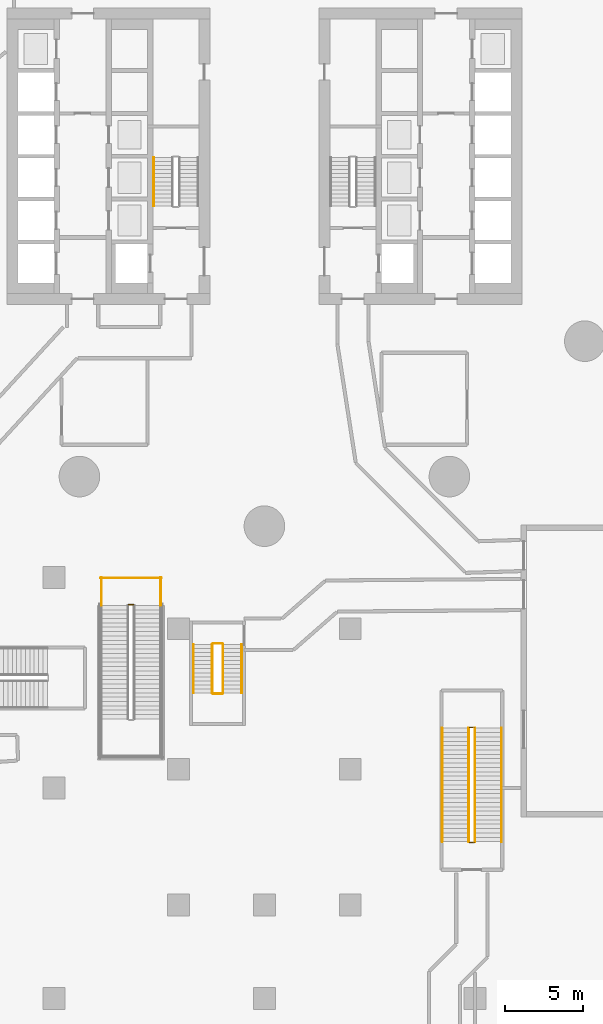
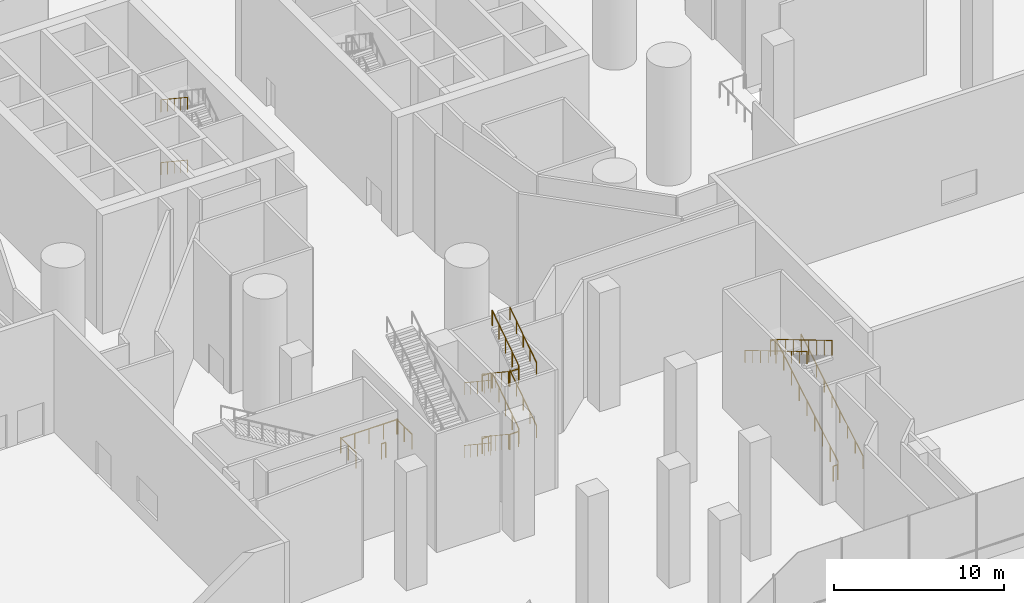
# One storey, part 41 of 54: 24 railings.
"""IFC4 building model written with IfcOpenShell, lengths in metres."""

from ifc_helpers import new_model, si_unit, direction, frame, origin, origin_2d, place, context, subcontext, project, spatial, circle, extrude, material, type_object, element, save


model = new_model("IFC4")

# Units and contexts
model_context = context("Model", 3, precision=1e-05, world=origin(), true_north=direction((0.0, 1.0)))
body_context = subcontext(model_context, "Body", "Model", "MODEL_VIEW")
ifc_project = project(units=[si_unit("LENGTHUNIT", "METRE"), si_unit("AREAUNIT", "SQUARE_METRE"), si_unit("VOLUMEUNIT", "CUBIC_METRE"), si_unit("PLANEANGLEUNIT", "RADIAN"), si_unit("MASSUNIT", "GRAM", prefix="KILO")], contexts=[model_context])

# Site, building, storey
site_placement = place(None, origin())
site = spatial("IfcSite", under=ifc_project, at=site_placement, CompositionType="ELEMENT")
building_placement = place(site_placement, origin())
building = spatial("IfcBuilding", under=site, at=building_placement, Name="Tamarind Cross Interchange Tower", CompositionType="ELEMENT")
storey_placement = place(building_placement, origin())
storey = spatial("IfcBuildingStorey", under=building, at=storey_placement, Name="L00", CompositionType="ELEMENT", Elevation=0.0)

# Railings
ifc_material_1 = material(Name="Public stair guard")
railing_type_1 = type_object("IfcRailingType", Name="Public stair guard", PredefinedType="GUARDRAIL", material=ifc_material_1)
railing_1_placement = place(storey_placement, frame((-8.699951171875, -28.75, 0.0)))
element("IfcRailing", 1, at=railing_1_placement, inside=storey, type_object=railing_type_1, Name="L00 PS-S stair guard 7", PredefinedType="GUARDRAIL", context=body_context, shape_type="SweptSolid", body=[
    extrude(circle(Radius=0.02392578125, at=origin_2d()), frame((0.0, 0.0, 1.076171875), z_axis=(1.0, 0.0, 0.0), x_axis=(0.0, 1.0, 0.0)), (0.0, 0.0, 1.0), 0.300048828125),
    extrude(circle(Radius=0.02099609375, at=origin_2d()), origin(), (0.0, 0.0, 1.0), 1.052001953125),
    extrude(circle(Radius=0.02099609375, at=origin_2d()), frame((0.300048828125, 0.0, 0.0)), (0.0, 0.0, 1.0), 1.052001953125),
])
for number, where, name in (
    (2, (-10.449951171875, -27.0, 0.0), "L00 PS-S stair guard 8"),
    (3, (-6.64990234375, -27.0, 0.0), "L00 PS-S stair guard 9"),
):
    element("IfcRailing", number, at=place(storey_placement, frame(where)), inside=storey, type_object=railing_type_1, Name=name, PredefinedType="GUARDRAIL", context=body_context, shape_type="SweptSolid", body=[
        extrude(circle(Radius=0.02392578125, at=origin_2d()), frame((0.0, 0.0, 1.076171875), z_axis=(0.0, -1.0, 0.0), x_axis=(1.0, 0.0, 0.0)), (0.0, 0.0, 1.0), 1.800048828125),
        extrude(circle(Radius=0.02099609375, at=origin_2d()), origin(), (0.0, 0.0, 1.0), 1.052001953125),
        extrude(circle(Radius=0.02099609375, at=origin_2d()), frame((0.0, -0.89990234375, 0.0)), (0.0, 0.0, 1.0), 1.052001953125),
        extrude(circle(Radius=0.02099609375, at=origin_2d()), frame((0.0, -1.800048828125, 0.0)), (0.0, 0.0, 1.0), 1.052001953125),
    ])
railing_2_placement = place(storey_placement, frame((-10.5, -27.050048828125, 0.0)))
element("IfcRailing", 4, at=railing_2_placement, inside=storey, type_object=railing_type_1, Name="L00 PS-S stair guard 10", PredefinedType="GUARDRAIL", context=body_context, shape_type="SweptSolid", body=[
    extrude(circle(Radius=0.02392578125, at=origin_2d()), frame((0.0, 0.0, 1.076171875), z_axis=(1.0, 0.0, 0.0), x_axis=(0.0, 1.0, 0.0)), (0.0, 0.0, 1.0), 3.89990234375),
    extrude(circle(Radius=0.02099609375, at=origin_2d()), origin(), (0.0, 0.0, 1.0), 1.052001953125),
    extrude(circle(Radius=0.02099609375, at=origin_2d()), frame((0.97509765625, 0.0, 0.0)), (0.0, 0.0, 1.0), 1.052001953125),
    extrude(circle(Radius=0.02099609375, at=origin_2d()), frame((1.949951171875, 0.0, 0.0)), (0.0, 0.0, 1.0), 1.052001953125),
    extrude(circle(Radius=0.02099609375, at=origin_2d()), frame((2.9248046875, 0.0, 0.0)), (0.0, 0.0, 1.0), 1.052001953125),
    extrude(circle(Radius=0.02099609375, at=origin_2d()), frame((3.89990234375, 0.0, 0.0)), (0.0, 0.0, 1.0), 1.052001953125),
])
railing_3_placement = place(storey_placement, frame((13.5, -43.949951171875, 0.166748046875)))
element("IfcRailing", 5, at=railing_3_placement, inside=storey, type_object=railing_type_1, Name="L00 XS-P12 stair guard 1", PredefinedType="GUARDRAIL", context=body_context, shape_type="SweptSolid", body=[
    extrude(circle(Radius=0.02392578125, at=origin_2d()), frame((0.0, 0.0, 1.076171875), z_axis=(0.0, 0.859298010897, 0.511475247171), x_axis=(-1.0, 0.0, 0.0)), (0.0, 0.0, 1.0), 8.47216796875),
    extrude(circle(Radius=0.02099609375, at=origin_2d()), origin(), (0.0, 0.0, 1.0), 1.052001953125),
    extrude(circle(Radius=0.02099609375, at=origin_2d()), frame((0.0, 0.909912109375, 0.541748046875)), (0.0, 0.0, 1.0), 1.052001953125),
    extrude(circle(Radius=0.02099609375, at=origin_2d()), frame((0.0, 1.820068359375, 1.083251953125)), (0.0, 0.0, 1.0), 1.052001953125),
    extrude(circle(Radius=0.02099609375, at=origin_2d()), frame((0.0, 2.72998046875, 1.625)), (0.0, 0.0, 1.0), 1.052001953125),
    extrude(circle(Radius=0.02099609375, at=origin_2d()), frame((0.0, 3.64013671875, 2.16650390625)), (0.0, 0.0, 1.0), 1.052001953125),
    extrude(circle(Radius=0.02099609375, at=origin_2d()), frame((0.0, 4.550048828125, 2.708251953125)), (0.0, 0.0, 1.0), 1.052001953125),
    extrude(circle(Radius=0.02099609375, at=origin_2d()), frame((0.0, 5.4599609375, 3.25)), (0.0, 0.0, 1.0), 1.052001953125),
    extrude(circle(Radius=0.02099609375, at=origin_2d()), frame((0.0, 6.3701171875, 3.79150390625)), (0.0, 0.0, 1.0), 1.052001953125),
    extrude(circle(Radius=0.02099609375, at=origin_2d()), frame((0.0, 7.280029296875, 4.333251953125)), (0.0, 0.0, 1.0), 1.052001953125),
])
railing_4_placement = place(storey_placement, frame((13.449951171875, -36.6201171875, 4.5)))
element("IfcRailing", 6, at=railing_4_placement, inside=storey, type_object=railing_type_1, Name="L00 XS-P12 stair guard 2", PredefinedType="GUARDRAIL", context=body_context, shape_type="SweptSolid", body=[
    extrude(circle(Radius=0.02392578125, at=origin_2d()), frame((0.0, 0.0, 1.076171875), z_axis=(-1.0, 0.0, 0.0), x_axis=(0.0, -1.0, 0.0)), (0.0, 0.0, 1.0), 0.300048828125),
    extrude(circle(Radius=0.02099609375, at=origin_2d()), origin(), (0.0, 0.0, 1.0), 1.052001953125),
    extrude(circle(Radius=0.02099609375, at=origin_2d()), frame((-0.300048828125, 0.0, 0.0)), (0.0, 0.0, 1.0), 1.052001953125),
])
railing_5_placement = place(storey_placement, frame((13.10009765625, -36.669921875, 4.666748046875)))
element("IfcRailing", 7, at=railing_5_placement, inside=storey, type_object=railing_type_1, Name="L00 XS-P12 stair guard 3", PredefinedType="GUARDRAIL", context=body_context, shape_type="SweptSolid", body=[
    extrude(circle(Radius=0.02392578125, at=origin_2d()), frame((0.0, 0.0, 1.076171875), z_axis=(0.0, -0.859298010897, 0.511475247171), x_axis=(1.0, 0.0, 0.0)), (0.0, 0.0, 1.0), 8.47216796875),
    extrude(circle(Radius=0.02099609375, at=origin_2d()), origin(), (0.0, 0.0, 1.0), 1.052001953125),
    extrude(circle(Radius=0.02099609375, at=origin_2d()), frame((0.0, -0.909912109375, 0.541748046875)), (0.0, 0.0, 1.0), 1.052001953125),
    extrude(circle(Radius=0.02099609375, at=origin_2d()), frame((0.0, -1.820068359375, 1.083251953125)), (0.0, 0.0, 1.0), 1.052001953125),
    extrude(circle(Radius=0.02099609375, at=origin_2d()), frame((0.0, -2.72998046875, 1.625)), (0.0, 0.0, 1.0), 1.052001953125),
    extrude(circle(Radius=0.02099609375, at=origin_2d()), frame((0.0, -3.64013671875, 2.16650390625)), (0.0, 0.0, 1.0), 1.052001953125),
    extrude(circle(Radius=0.02099609375, at=origin_2d()), frame((0.0, -4.550048828125, 2.708251953125)), (0.0, 0.0, 1.0), 1.052001953125),
    extrude(circle(Radius=0.02099609375, at=origin_2d()), frame((0.0, -5.4599609375, 3.25)), (0.0, 0.0, 1.0), 1.052001953125),
    extrude(circle(Radius=0.02099609375, at=origin_2d()), frame((0.0, -6.3701171875, 3.79150390625)), (0.0, 0.0, 1.0), 1.052001953125),
    extrude(circle(Radius=0.02099609375, at=origin_2d()), frame((0.0, -7.280029296875, 4.333251953125)), (0.0, 0.0, 1.0), 1.052001953125),
])
railing_6_placement = place(storey_placement, frame((13.449951171875, -44.0, 0.0)))
element("IfcRailing", 8, at=railing_6_placement, inside=storey, type_object=railing_type_1, Name="L00 XS-P12 stair guard 4", PredefinedType="GUARDRAIL", context=body_context, shape_type="SweptSolid", body=[
    extrude(circle(Radius=0.02392578125, at=origin_2d()), frame((0.0, 0.0, 1.076171875), z_axis=(-1.0, 0.0, 0.0), x_axis=(0.0, -1.0, 0.0)), (0.0, 0.0, 1.0), 0.300048828125),
    extrude(circle(Radius=0.02099609375, at=origin_2d()), origin(), (0.0, 0.0, 1.0), 1.052001953125),
    extrude(circle(Radius=0.02099609375, at=origin_2d()), frame((-0.300048828125, 0.0, 0.0)), (0.0, 0.0, 1.0), 1.052001953125),
])
ifc_material_2 = material(Name="Public stair handrail")
railing_type_2 = type_object("IfcRailingType", Name="Public stair handrail", PredefinedType="HANDRAIL", material=ifc_material_2)
railing_7_placement = place(storey_placement, frame((15.199951171875, -43.949951171875, 0.166748046875)))
element("IfcRailing", 9, at=railing_7_placement, inside=storey, type_object=railing_type_2, Name="L00 XS-P12 stair handrail 1", PredefinedType="HANDRAIL", context=body_context, shape_type="SweptSolid", body=[
    extrude(circle(Radius=0.02392578125, at=origin_2d()), frame((0.0, 0.0, 0.8759765625), z_axis=(0.0, 0.859298010897, 0.511475247171), x_axis=(-1.0, 0.0, 0.0)), (0.0, 0.0, 1.0), 8.47216796875),
    extrude(circle(Radius=0.02099609375, at=origin_2d()), origin(), (0.0, 0.0, 1.0), 0.851806640625),
    extrude(circle(Radius=0.02099609375, at=origin_2d()), frame((0.0, 0.909912109375, 0.541748046875)), (0.0, 0.0, 1.0), 0.851806640625),
    extrude(circle(Radius=0.02099609375, at=origin_2d()), frame((0.0, 1.820068359375, 1.083251953125)), (0.0, 0.0, 1.0), 0.851806640625),
    extrude(circle(Radius=0.02099609375, at=origin_2d()), frame((0.0, 2.72998046875, 1.625)), (0.0, 0.0, 1.0), 0.851806640625),
    extrude(circle(Radius=0.02099609375, at=origin_2d()), frame((0.0, 3.64013671875, 2.16650390625)), (0.0, 0.0, 1.0), 0.851806640625),
    extrude(circle(Radius=0.02099609375, at=origin_2d()), frame((0.0, 4.550048828125, 2.708251953125)), (0.0, 0.0, 1.0), 0.851806640625),
    extrude(circle(Radius=0.02099609375, at=origin_2d()), frame((0.0, 5.4599609375, 3.25)), (0.0, 0.0, 1.0), 0.851806640625),
    extrude(circle(Radius=0.02099609375, at=origin_2d()), frame((0.0, 6.3701171875, 3.79150390625)), (0.0, 0.0, 1.0), 0.851806640625),
    extrude(circle(Radius=0.02099609375, at=origin_2d()), frame((0.0, 7.280029296875, 4.333251953125)), (0.0, 0.0, 1.0), 0.851806640625),
])
railing_8_placement = place(storey_placement, frame((11.39990234375, -36.669921875, 4.666748046875)))
element("IfcRailing", 10, at=railing_8_placement, inside=storey, type_object=railing_type_2, Name="L00 XS-P12 stair handrail 2", PredefinedType="HANDRAIL", context=body_context, shape_type="SweptSolid", body=[
    extrude(circle(Radius=0.02392578125, at=origin_2d()), frame((0.0, 0.0, 0.8759765625), z_axis=(0.0, -0.859298010897, 0.511475247171), x_axis=(1.0, 0.0, 0.0)), (0.0, 0.0, 1.0), 8.47216796875),
    extrude(circle(Radius=0.02099609375, at=origin_2d()), origin(), (0.0, 0.0, 1.0), 0.851806640625),
    extrude(circle(Radius=0.02099609375, at=origin_2d()), frame((0.0, -0.909912109375, 0.541748046875)), (0.0, 0.0, 1.0), 0.851806640625),
    extrude(circle(Radius=0.02099609375, at=origin_2d()), frame((0.0, -1.820068359375, 1.083251953125)), (0.0, 0.0, 1.0), 0.851806640625),
    extrude(circle(Radius=0.02099609375, at=origin_2d()), frame((0.0, -2.72998046875, 1.625)), (0.0, 0.0, 1.0), 0.851806640625),
    extrude(circle(Radius=0.02099609375, at=origin_2d()), frame((0.0, -3.64013671875, 2.16650390625)), (0.0, 0.0, 1.0), 0.851806640625),
    extrude(circle(Radius=0.02099609375, at=origin_2d()), frame((0.0, -4.550048828125, 2.708251953125)), (0.0, 0.0, 1.0), 0.851806640625),
    extrude(circle(Radius=0.02099609375, at=origin_2d()), frame((0.0, -5.4599609375, 3.25)), (0.0, 0.0, 1.0), 0.851806640625),
    extrude(circle(Radius=0.02099609375, at=origin_2d()), frame((0.0, -6.3701171875, 3.79150390625)), (0.0, 0.0, 1.0), 0.851806640625),
    extrude(circle(Radius=0.02099609375, at=origin_2d()), frame((0.0, -7.280029296875, 4.333251953125)), (0.0, 0.0, 1.0), 0.851806640625),
])
ifc_material_3 = material(Name="Stair guard")
railing_type_3 = type_object("IfcRailingType", Name="Stair guard", PredefinedType="GUARDRAIL", material=ifc_material_3)
railing_9_placement = place(storey_placement, frame((-3.35009765625, -31.300048828125, 0.173095703125)))
element("IfcRailing", 11, at=railing_9_placement, inside=storey, type_object=railing_type_3, Name="L00 ST6 stair guard 1", PredefinedType="GUARDRAIL", context=body_context, shape_type="SweptSolid", body=[
    extrude(circle(Radius=0.02392578125, at=origin_2d()), frame((0.0, 0.0, 1.076171875), z_axis=(0.0, -0.832420903958, 0.554143879018), x_axis=(1.0, 0.0, 0.0)), (0.0, 0.0, 1.0), 3.748046875),
    extrude(circle(Radius=0.02099609375, at=origin_2d()), origin(), (0.0, 0.0, 1.0), 1.052001953125),
    extrude(circle(Radius=0.02099609375, at=origin_2d()), frame((0.0, -0.780029296875, 0.519287109375)), (0.0, 0.0, 1.0), 1.052001953125),
    extrude(circle(Radius=0.02099609375, at=origin_2d()), frame((0.0, -1.56005859375, 1.03857421875)), (0.0, 0.0, 1.0), 1.052001953125),
    extrude(circle(Radius=0.02099609375, at=origin_2d()), frame((0.0, -2.33984375, 1.5576171875)), (0.0, 0.0, 1.0), 1.052001953125),
    extrude(circle(Radius=0.02099609375, at=origin_2d()), frame((0.0, -3.119873046875, 2.076904296875)), (0.0, 0.0, 1.0), 1.052001953125),
])
railing_10_placement = place(storey_placement, frame((-3.300048828125, -34.469970703125, 2.25)))
element("IfcRailing", 12, at=railing_10_placement, inside=storey, type_object=railing_type_3, Name="L00 ST6 stair guard 2", PredefinedType="GUARDRAIL", context=body_context, shape_type="SweptSolid", body=[
    extrude(circle(Radius=0.02392578125, at=origin_2d()), frame((0.0, 0.0, 1.076171875), z_axis=(1.0, 0.0, 0.0), x_axis=(0.0, 1.0, 0.0)), (0.0, 0.0, 1.0), 0.60009765625),
    extrude(circle(Radius=0.02099609375, at=origin_2d()), origin(), (0.0, 0.0, 1.0), 1.052001953125),
    extrude(circle(Radius=0.02099609375, at=origin_2d()), frame((0.60009765625, 0.0, 0.0)), (0.0, 0.0, 1.0), 1.052001953125),
])
railing_11_placement = place(storey_placement, frame((-2.64990234375, -34.419921875, 2.423095703125)))
element("IfcRailing", 13, at=railing_11_placement, inside=storey, type_object=railing_type_3, Name="L00 ST6 stair guard 3", PredefinedType="GUARDRAIL", context=body_context, shape_type="SweptSolid", body=[
    extrude(circle(Radius=0.02392578125, at=origin_2d()), frame((0.0, 0.0, 1.076171875), z_axis=(0.0, 0.832420903958, 0.554143879018), x_axis=(-1.0, 0.0, 0.0)), (0.0, 0.0, 1.0), 3.748046875),
    extrude(circle(Radius=0.02099609375, at=origin_2d()), origin(), (0.0, 0.0, 1.0), 1.052001953125),
    extrude(circle(Radius=0.02099609375, at=origin_2d()), frame((0.0, 0.780029296875, 0.519287109375)), (0.0, 0.0, 1.0), 1.052001953125),
    extrude(circle(Radius=0.02099609375, at=origin_2d()), frame((0.0, 1.56005859375, 1.03857421875)), (0.0, 0.0, 1.0), 1.052001953125),
    extrude(circle(Radius=0.02099609375, at=origin_2d()), frame((0.0, 2.33984375, 1.5576171875)), (0.0, 0.0, 1.0), 1.052001953125),
    extrude(circle(Radius=0.02099609375, at=origin_2d()), frame((0.0, 3.119873046875, 2.076904296875)), (0.0, 0.0, 1.0), 1.052001953125),
])
railing_12_placement = place(storey_placement, frame((-3.300048828125, -31.25, 4.5)))
element("IfcRailing", 14, at=railing_12_placement, inside=storey, type_object=railing_type_3, Name="L00 ST6 stair guard 4", PredefinedType="GUARDRAIL", context=body_context, shape_type="SweptSolid", body=[
    extrude(circle(Radius=0.02392578125, at=origin_2d()), frame((0.0, 0.0, 1.076171875), z_axis=(1.0, 0.0, 0.0), x_axis=(0.0, 1.0, 0.0)), (0.0, 0.0, 1.0), 0.60009765625),
    extrude(circle(Radius=0.02099609375, at=origin_2d()), origin(), (0.0, 0.0, 1.0), 1.052001953125),
    extrude(circle(Radius=0.02099609375, at=origin_2d()), frame((0.60009765625, 0.0, 0.0)), (0.0, 0.0, 1.0), 1.052001953125),
])
railing_13_placement = place(storey_placement, frame((-3.35009765625, -31.300048828125, 4.673095703125)))
element("IfcRailing", 15, at=railing_13_placement, inside=storey, type_object=railing_type_3, Name="L00 ST6 stair guard 5", PredefinedType="GUARDRAIL", context=body_context, shape_type="SweptSolid", body=[
    extrude(circle(Radius=0.02392578125, at=origin_2d()), frame((0.0, 0.0, 1.076171875), z_axis=(0.0, -0.832420903958, 0.554143879018), x_axis=(1.0, 0.0, 0.0)), (0.0, 0.0, 1.0), 3.748046875),
    extrude(circle(Radius=0.02099609375, at=origin_2d()), origin(), (0.0, 0.0, 1.0), 1.052001953125),
    extrude(circle(Radius=0.02099609375, at=origin_2d()), frame((0.0, -0.780029296875, 0.519287109375)), (0.0, 0.0, 1.0), 1.052001953125),
    extrude(circle(Radius=0.02099609375, at=origin_2d()), frame((0.0, -1.56005859375, 1.03857421875)), (0.0, 0.0, 1.0), 1.052001953125),
    extrude(circle(Radius=0.02099609375, at=origin_2d()), frame((0.0, -2.33984375, 1.5576171875)), (0.0, 0.0, 1.0), 1.052001953125),
    extrude(circle(Radius=0.02099609375, at=origin_2d()), frame((0.0, -3.119873046875, 2.076904296875)), (0.0, 0.0, 1.0), 1.052001953125),
])
railing_14_placement = place(storey_placement, frame((-3.300048828125, -34.469970703125, 6.75)))
element("IfcRailing", 16, at=railing_14_placement, inside=storey, type_object=railing_type_3, Name="L00 ST6 stair guard 6", PredefinedType="GUARDRAIL", context=body_context, shape_type="SweptSolid", body=[
    extrude(circle(Radius=0.02392578125, at=origin_2d()), frame((0.0, 0.0, 1.076171875), z_axis=(1.0, 0.0, 0.0), x_axis=(0.0, 1.0, 0.0)), (0.0, 0.0, 1.0), 0.60009765625),
    extrude(circle(Radius=0.02099609375, at=origin_2d()), origin(), (0.0, 0.0, 1.0), 1.052001953125),
    extrude(circle(Radius=0.02099609375, at=origin_2d()), frame((0.60009765625, 0.0, 0.0)), (0.0, 0.0, 1.0), 1.052001953125),
])
railing_15_placement = place(storey_placement, frame((-2.64990234375, -34.419921875, 6.923095703125)))
element("IfcRailing", 17, at=railing_15_placement, inside=storey, type_object=railing_type_3, Name="L00 ST6 stair guard 7", PredefinedType="GUARDRAIL", context=body_context, shape_type="SweptSolid", body=[
    extrude(circle(Radius=0.02392578125, at=origin_2d()), frame((0.0, 0.0, 1.076171875), z_axis=(0.0, 0.832420903958, 0.554143879018), x_axis=(-1.0, 0.0, 0.0)), (0.0, 0.0, 1.0), 3.748046875),
    extrude(circle(Radius=0.02099609375, at=origin_2d()), origin(), (0.0, 0.0, 1.0), 1.052001953125),
    extrude(circle(Radius=0.02099609375, at=origin_2d()), frame((0.0, 0.780029296875, 0.519287109375)), (0.0, 0.0, 1.0), 1.052001953125),
    extrude(circle(Radius=0.02099609375, at=origin_2d()), frame((0.0, 1.56005859375, 1.03857421875)), (0.0, 0.0, 1.0), 1.052001953125),
    extrude(circle(Radius=0.02099609375, at=origin_2d()), frame((0.0, 2.33984375, 1.5576171875)), (0.0, 0.0, 1.0), 1.052001953125),
    extrude(circle(Radius=0.02099609375, at=origin_2d()), frame((0.0, 3.119873046875, 2.076904296875)), (0.0, 0.0, 1.0), 1.052001953125),
])
railing_16_placement = place(storey_placement, frame((-3.300048828125, -31.25, 0.0)))
element("IfcRailing", 18, at=railing_16_placement, inside=storey, type_object=railing_type_3, Name="L00 ST6 stair guard 8", PredefinedType="GUARDRAIL", context=body_context, shape_type="SweptSolid", body=[
    extrude(circle(Radius=0.02392578125, at=origin_2d()), frame((0.0, 0.0, 1.076171875), z_axis=(1.0, 0.0, 0.0), x_axis=(0.0, 1.0, 0.0)), (0.0, 0.0, 1.0), 0.60009765625),
    extrude(circle(Radius=0.02099609375, at=origin_2d()), origin(), (0.0, 0.0, 1.0), 1.052001953125),
    extrude(circle(Radius=0.02099609375, at=origin_2d()), frame((0.60009765625, 0.0, 0.0)), (0.0, 0.0, 1.0), 1.052001953125),
])
ifc_material_4 = material(Name="Stair handrail")
railing_type_4 = type_object("IfcRailingType", Name="Stair handrail", PredefinedType="HANDRAIL", material=ifc_material_4)
for number, where, name in (
    (19, (-7.10009765625, -0.080078125, 2.423095703125), "L00 ST1 stair handrail 2"),
    (20, (-7.10009765625, -0.080078125, 6.923095703125), "L00 ST1 stair handrail 4"),
    (21, (-4.550048828125, -31.300048828125, 0.173095703125), "L00 ST6 stair handrail 1"),
):
    element("IfcRailing", number, at=place(storey_placement, frame(where)), inside=storey, type_object=railing_type_4, Name=name, PredefinedType="HANDRAIL", context=body_context, shape_type="SweptSolid", body=[
        extrude(circle(Radius=0.02392578125, at=origin_2d()), frame((0.0, 0.0, 0.8759765625), z_axis=(0.0, -0.832420903958, 0.554143879018), x_axis=(1.0, 0.0, 0.0)), (0.0, 0.0, 1.0), 3.748046875),
        extrude(circle(Radius=0.02099609375, at=origin_2d()), origin(), (0.0, 0.0, 1.0), 0.851806640625),
        extrude(circle(Radius=0.02099609375, at=origin_2d()), frame((0.0, -0.780029296875, 0.519287109375)), (0.0, 0.0, 1.0), 0.851806640625),
        extrude(circle(Radius=0.02099609375, at=origin_2d()), frame((0.0, -1.56005859375, 1.03857421875)), (0.0, 0.0, 1.0), 0.851806640625),
        extrude(circle(Radius=0.02099609375, at=origin_2d()), frame((0.0, -2.33984375, 1.5576171875)), (0.0, 0.0, 1.0), 0.851806640625),
        extrude(circle(Radius=0.02099609375, at=origin_2d()), frame((0.0, -3.119873046875, 2.076904296875)), (0.0, 0.0, 1.0), 0.851806640625),
    ])
railing_17_placement = place(storey_placement, frame((-1.449951171875, -34.419921875, 2.423095703125)))
element("IfcRailing", 22, at=railing_17_placement, inside=storey, type_object=railing_type_4, Name="L00 ST6 stair handrail 2", PredefinedType="HANDRAIL", context=body_context, shape_type="SweptSolid", body=[
    extrude(circle(Radius=0.02392578125, at=origin_2d()), frame((0.0, 0.0, 0.8759765625), z_axis=(0.0, 0.832420903958, 0.554143879018), x_axis=(-1.0, 0.0, 0.0)), (0.0, 0.0, 1.0), 3.748046875),
    extrude(circle(Radius=0.02099609375, at=origin_2d()), origin(), (0.0, 0.0, 1.0), 0.851806640625),
    extrude(circle(Radius=0.02099609375, at=origin_2d()), frame((0.0, 0.780029296875, 0.519287109375)), (0.0, 0.0, 1.0), 0.851806640625),
    extrude(circle(Radius=0.02099609375, at=origin_2d()), frame((0.0, 1.56005859375, 1.03857421875)), (0.0, 0.0, 1.0), 0.851806640625),
    extrude(circle(Radius=0.02099609375, at=origin_2d()), frame((0.0, 2.33984375, 1.5576171875)), (0.0, 0.0, 1.0), 0.851806640625),
    extrude(circle(Radius=0.02099609375, at=origin_2d()), frame((0.0, 3.119873046875, 2.076904296875)), (0.0, 0.0, 1.0), 0.851806640625),
])
railing_18_placement = place(storey_placement, frame((-4.550048828125, -31.300048828125, 4.673095703125)))
element("IfcRailing", 23, at=railing_18_placement, inside=storey, type_object=railing_type_4, Name="L00 ST6 stair handrail 3", PredefinedType="HANDRAIL", context=body_context, shape_type="SweptSolid", body=[
    extrude(circle(Radius=0.02392578125, at=origin_2d()), frame((0.0, 0.0, 0.8759765625), z_axis=(0.0, -0.832420903958, 0.554143879018), x_axis=(1.0, 0.0, 0.0)), (0.0, 0.0, 1.0), 3.748046875),
    extrude(circle(Radius=0.02099609375, at=origin_2d()), origin(), (0.0, 0.0, 1.0), 0.851806640625),
    extrude(circle(Radius=0.02099609375, at=origin_2d()), frame((0.0, -0.780029296875, 0.519287109375)), (0.0, 0.0, 1.0), 0.851806640625),
    extrude(circle(Radius=0.02099609375, at=origin_2d()), frame((0.0, -1.56005859375, 1.03857421875)), (0.0, 0.0, 1.0), 0.851806640625),
    extrude(circle(Radius=0.02099609375, at=origin_2d()), frame((0.0, -2.33984375, 1.5576171875)), (0.0, 0.0, 1.0), 0.851806640625),
    extrude(circle(Radius=0.02099609375, at=origin_2d()), frame((0.0, -3.119873046875, 2.076904296875)), (0.0, 0.0, 1.0), 0.851806640625),
])
railing_19_placement = place(storey_placement, frame((-1.449951171875, -34.419921875, 6.923095703125)))
element("IfcRailing", 24, at=railing_19_placement, inside=storey, type_object=railing_type_4, Name="L00 ST6 stair handrail 4", PredefinedType="HANDRAIL", context=body_context, shape_type="SweptSolid", body=[
    extrude(circle(Radius=0.02392578125, at=origin_2d()), frame((0.0, 0.0, 0.8759765625), z_axis=(0.0, 0.832420903958, 0.554143879018), x_axis=(-1.0, 0.0, 0.0)), (0.0, 0.0, 1.0), 3.748046875),
    extrude(circle(Radius=0.02099609375, at=origin_2d()), origin(), (0.0, 0.0, 1.0), 0.851806640625),
    extrude(circle(Radius=0.02099609375, at=origin_2d()), frame((0.0, 0.780029296875, 0.519287109375)), (0.0, 0.0, 1.0), 0.851806640625),
    extrude(circle(Radius=0.02099609375, at=origin_2d()), frame((0.0, 1.56005859375, 1.03857421875)), (0.0, 0.0, 1.0), 0.851806640625),
    extrude(circle(Radius=0.02099609375, at=origin_2d()), frame((0.0, 2.33984375, 1.5576171875)), (0.0, 0.0, 1.0), 0.851806640625),
    extrude(circle(Radius=0.02099609375, at=origin_2d()), frame((0.0, 3.119873046875, 2.076904296875)), (0.0, 0.0, 1.0), 0.851806640625),
])

save(model, "model.ifc")
